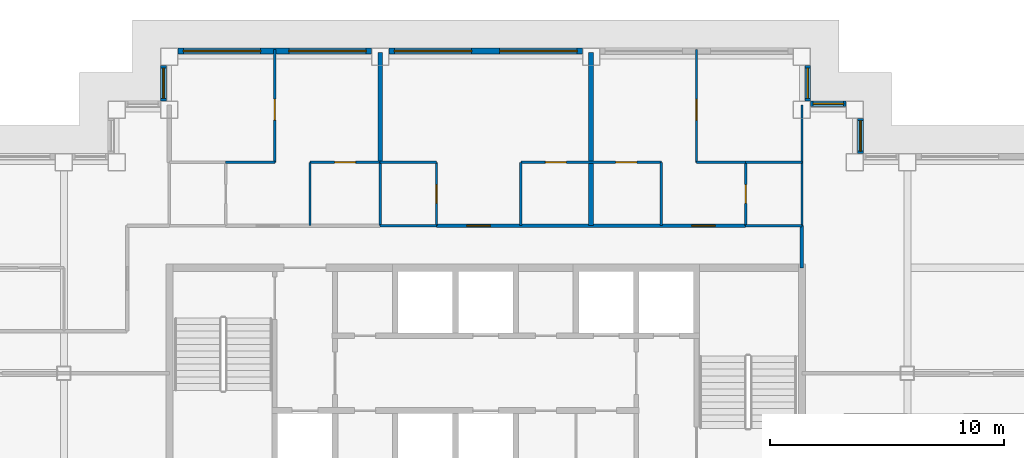
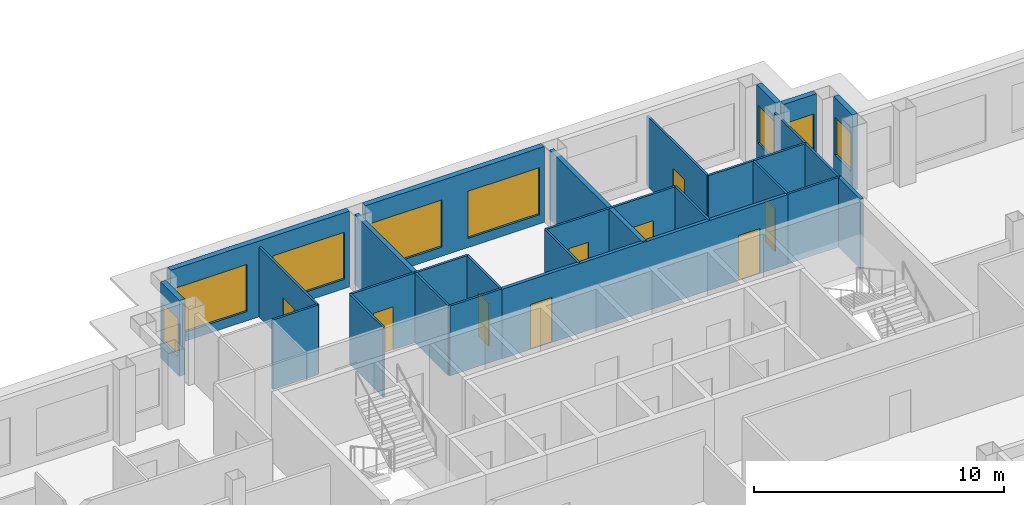
# One storey, part 8 of 13: 28 walls, 9 doors, 8 windows, 17 openings.
"""IFC4 building model written with IfcOpenShell, lengths in metres."""

from ifc_helpers import new_model, si_unit, direction, frame, frame_2d, origin, place, context, subcontext, project, spatial, rectangle, extrude, material, layer, layer_set, type_object, element, fill, save


model = new_model("IFC4")

# Units and contexts
model_context = context("Model", 3, precision=1e-05, world=origin(), true_north=direction((0.0, 1.0)))
body_context = subcontext(model_context, "Body", "Model", "MODEL_VIEW")
ifc_project = project(units=[si_unit("LENGTHUNIT", "METRE"), si_unit("AREAUNIT", "SQUARE_METRE"), si_unit("VOLUMEUNIT", "CUBIC_METRE"), si_unit("PLANEANGLEUNIT", "RADIAN"), si_unit("MASSUNIT", "GRAM", prefix="KILO")], contexts=[model_context])

# Site, building, storey
site_placement = place(None, origin())
site = spatial("IfcSite", under=ifc_project, at=site_placement, CompositionType="ELEMENT")
building_placement = place(site_placement, origin())
building = spatial("IfcBuilding", under=site, at=building_placement, Name="Caravel Reach Hotel and Residences", CompositionType="ELEMENT")
storey_placement = place(building_placement, frame((0.0, 0.0, 180.199951171875)))
storey = spatial("IfcBuildingStorey", under=building, at=storey_placement, Name="L45", CompositionType="ELEMENT", Elevation=180.199951171875)

# Walls
ifc_material_1 = material(Name="Gypsum board on steel stud", Category="steel")
ifc_layer_1 = layer(ifc_material_1, 0.10009765625)
ifc_layer_set_1 = layer_set([ifc_layer_1], Name="Bathroom pod wall 100 mm")
wall_type_1 = type_object("IfcWallType", Name="Bathroom pod wall 100 mm", PredefinedType="PARTITIONING", material=ifc_layer_set_1)
for number, where, z_axis, x_axis, name in (
    (1, (27.0, 33.300048828125, 0.0), (0.0, 0.0, 1.0), (1.0, 0.0, 0.0), "L45 wall w078"),
    (2, (42.60009765625, 33.300048828125, 0.0), (0.0, 0.0, 1.0), (1.0, 0.0, 0.0), "L45 wall w079"),
    (3, (27.0, 36.0, 0.0), (0.0, 0.0, 1.0), (1.0, 0.0, 0.0), "L45 wall w081"),
    (4, (42.60009765625, 36.0, 0.0), (0.0, 0.0, 1.0), (1.0, 0.0, 0.0), "L45 wall w082"),
):
    element("IfcWall", number, at=place(storey_placement, frame(where, z_axis=z_axis, x_axis=x_axis)), inside=storey, type_object=wall_type_1, Name=name, PredefinedType="PARTITIONING", context=body_context, shape_type="SweptSolid", body=[
        extrude(rectangle(XDim=2.39990234375, YDim=0.10009765625, at=frame_2d((1.199951171875, 0.0))), origin(), (0.0, 0.0, 1.0), 3.400146484375),
    ])
wall_1_placement = place(storey_placement, frame((27.0, 33.300048828125, 0.0), z_axis=(0.0, 0.0, 1.0), x_axis=(0.0, 1.0, 0.0)))
element("IfcWall", 5, at=wall_1_placement, inside=storey, type_object=wall_type_1, Name="L45 wall w088", PredefinedType="PARTITIONING", context=body_context, shape_type="SweptSolid", body=[
    extrude(rectangle(XDim=2.699951171875, YDim=0.10009765625, at=frame_2d((1.35009765625, 0.0))), origin(), (0.0, 0.0, 1.0), 3.400146484375),
])

# Wall, opening, door
wall_2_placement = place(storey_placement, frame((29.39990234375, 33.300048828125, 0.0), z_axis=(0.0, 0.0, 1.0), x_axis=(0.0, 1.0, 0.0)))
wall_2 = element("IfcWall", 6, at=wall_2_placement, inside=storey, type_object=wall_type_1, Name="L45 wall w089", PredefinedType="PARTITIONING", context=body_context, shape_type="SweptSolid", body=[
    extrude(rectangle(XDim=2.699951171875, YDim=0.10009765625, at=frame_2d((1.35009765625, 0.0))), origin(), (0.0, 0.0, 1.0), 3.400146484375),
])
opening_1_placement = place(wall_2_placement, frame((0.949951171875, 0.0, 0.0)))
opening_1 = element("IfcOpeningElement", 7, at=opening_1_placement, cuts=wall_2, Name="Opening D45-022", PredefinedType="OPENING", context=body_context, shape_type="SweptSolid", body=[
    extrude(rectangle(XDim=0.800048828125, YDim=2.10009765625, at=frame_2d((0.39990234375, 1.050048828125))), frame((0.0, 0.06005859375, 0.0), z_axis=(0.0, -1.0, 0.0), x_axis=(1.0, 0.0, 0.0)), (0.0, 0.0, 1.0), 0.1201171875),
])
ifc_material_2 = material(Name="Timber and steel door leaf", Category="steel")
door_type_1 = type_object("IfcDoorType", Name="Bathroom door 800 x 2100", OperationType="SINGLE_SWING_LEFT", PredefinedType="DOOR", material=ifc_material_2)
door_1_placement = place(opening_1_placement, origin())
door_1 = element("IfcDoor", 8, at=door_1_placement, inside=storey, type_object=door_type_1, Name="door D45-022", OperationType="SINGLE_SWING_RIGHT", OverallHeight=2.10009765625, OverallWidth=0.800048828125, PredefinedType="DOOR", context=body_context, shape_type="SweptSolid", body=[
    extrude(rectangle(XDim=0.800048828125, YDim=2.10009765625, at=frame_2d((0.39990234375, 1.050048828125))), frame((0.0, 0.02490234375, 0.0), z_axis=(0.0, -1.0, 0.0), x_axis=(1.0, 0.0, 0.0)), (0.0, 0.0, 1.0), 0.050048828125),
])
fill(opening_1, door_1)

wall_3_placement = place(storey_placement, frame((42.60009765625, 33.300048828125, 0.0), z_axis=(0.0, 0.0, 1.0), x_axis=(0.0, 1.0, 0.0)))
wall_3 = element("IfcWall", 9, at=wall_3_placement, inside=storey, type_object=wall_type_1, Name="L45 wall w093", PredefinedType="PARTITIONING", context=body_context, shape_type="SweptSolid", body=[
    extrude(rectangle(XDim=2.699951171875, YDim=0.10009765625, at=frame_2d((1.35009765625, 0.0))), origin(), (0.0, 0.0, 1.0), 3.400146484375),
])
opening_2_placement = place(wall_3_placement, frame((0.949951171875, 0.0, 0.0)))
opening_2 = element("IfcOpeningElement", 10, at=opening_2_placement, cuts=wall_3, Name="Opening D45-026", PredefinedType="OPENING", context=body_context, shape_type="SweptSolid", body=[
    extrude(rectangle(XDim=0.800048828125, YDim=2.10009765625, at=frame_2d((0.39990234375, 1.050048828125))), frame((0.0, 0.06005859375, 0.0), z_axis=(0.0, -1.0, 0.0), x_axis=(1.0, 0.0, 0.0)), (0.0, 0.0, 1.0), 0.1201171875),
])
door_2_placement = place(opening_2_placement, origin())
door_2 = element("IfcDoor", 11, at=door_2_placement, inside=storey, type_object=door_type_1, Name="door D45-026", OperationType="SINGLE_SWING_RIGHT", OverallHeight=2.10009765625, OverallWidth=0.800048828125, PredefinedType="DOOR", context=body_context, shape_type="SweptSolid", body=[
    extrude(rectangle(XDim=0.800048828125, YDim=2.10009765625, at=frame_2d((0.39990234375, 1.050048828125))), frame((0.0, 0.02490234375, 0.0), z_axis=(0.0, -1.0, 0.0), x_axis=(1.0, 0.0, 0.0)), (0.0, 0.0, 1.0), 0.050048828125),
])
fill(opening_2, door_2)

# Wall
wall_4_placement = place(storey_placement, frame((45.0, 33.300048828125, 0.0), z_axis=(0.0, 0.0, 1.0), x_axis=(0.0, 1.0, 0.0)))
element("IfcWall", 12, at=wall_4_placement, inside=storey, type_object=wall_type_1, Name="L45 wall w094", PredefinedType="PARTITIONING", context=body_context, shape_type="SweptSolid", body=[
    extrude(rectangle(XDim=2.699951171875, YDim=0.10009765625, at=frame_2d((1.35009765625, 0.0))), origin(), (0.0, 0.0, 1.0), 3.400146484375),
])

# Wall, openings, doors
ifc_material_3 = material(Name="Gypsum board on steel stud, fire-rated", Category="steel")
ifc_layer_2 = layer(ifc_material_3, 0.14990234375)
ifc_layer_set_2 = layer_set([ifc_layer_2], Name="Corridor wall 150 mm EI 60")
wall_type_2 = type_object("IfcWallType", Name="Corridor wall 150 mm EI 60", PredefinedType="PARTITIONING", material=ifc_layer_set_2)
wall_5_placement = place(storey_placement, frame((29.39990234375, 33.300048828125, 0.0), z_axis=(0.0, 0.0, 1.0), x_axis=(1.0, 0.0, 0.0)))
wall_5 = element("IfcWall", 13, at=wall_5_placement, inside=storey, type_object=wall_type_2, Name="L45 wall w015", PredefinedType="PARTITIONING", context=body_context, shape_type="SweptSolid", body=[
    extrude(rectangle(XDim=13.2001953125, YDim=0.14990234375, at=frame_2d((6.60009765625, 0.0))), origin(), (0.0, 0.0, 1.0), 3.400146484375),
])
opening_3_placement = place(wall_5_placement, frame((1.300048828125, 0.0, 0.0)))
opening_3 = element("IfcOpeningElement", 14, at=opening_3_placement, cuts=wall_5, Name="Opening D45-021", PredefinedType="OPENING", context=body_context, shape_type="SweptSolid", body=[
    extrude(rectangle(XDim=1.0, YDim=2.199951171875, at=frame_2d((0.5, 1.10009765625))), frame((0.0, 0.0849609375, 0.0), z_axis=(0.0, -1.0, 0.0), x_axis=(1.0, 0.0, 0.0)), (0.0, 0.0, 1.0), 0.169921875),
])
opening_4_placement = place(wall_5_placement, frame((10.900146484375, 0.0, 0.0)))
opening_4 = element("IfcOpeningElement", 15, at=opening_4_placement, cuts=wall_5, Name="Opening D45-024", PredefinedType="OPENING", context=body_context, shape_type="SweptSolid", body=[
    extrude(rectangle(XDim=1.0, YDim=2.199951171875, at=frame_2d((0.5, 1.10009765625))), frame((0.0, 0.0849609375, 0.0), z_axis=(0.0, -1.0, 0.0), x_axis=(1.0, 0.0, 0.0)), (0.0, 0.0, 1.0), 0.169921875),
])
ifc_material_4 = material(Name="Steel fire door leaf", Category="steel")
door_type_2 = type_object("IfcDoorType", Name="Flat entrance door 1000 x 2200 EI 60", OperationType="SINGLE_SWING_LEFT", PredefinedType="DOOR", material=ifc_material_4)
door_3_placement = place(opening_3_placement, origin())
door_3 = element("IfcDoor", 16, at=door_3_placement, inside=storey, type_object=door_type_2, Name="door D45-021", OperationType="SINGLE_SWING_LEFT", OverallHeight=2.199951171875, OverallWidth=1.0, PredefinedType="DOOR", context=body_context, shape_type="SweptSolid", body=[
    extrude(rectangle(XDim=1.0, YDim=2.199951171875, at=frame_2d((0.5, 1.10009765625))), frame((0.0, 0.02490234375, 0.0), z_axis=(0.0, -1.0, 0.0), x_axis=(1.0, 0.0, 0.0)), (0.0, 0.0, 1.0), 0.050048828125),
])
fill(opening_3, door_3)
door_4_placement = place(opening_4_placement, origin())
door_4 = element("IfcDoor", 17, at=door_4_placement, inside=storey, type_object=door_type_2, Name="door D45-024", OperationType="SINGLE_SWING_LEFT", OverallHeight=2.199951171875, OverallWidth=1.0, PredefinedType="DOOR", context=body_context, shape_type="SweptSolid", body=[
    extrude(rectangle(XDim=1.0, YDim=2.199951171875, at=frame_2d((0.5, 1.10009765625))), frame((0.0, 0.02490234375, 0.0), z_axis=(0.0, -1.0, 0.0), x_axis=(1.0, 0.0, 0.0)), (0.0, 0.0, 1.0), 0.050048828125),
])
fill(opening_4, door_4)

# Wall
wall_6_placement = place(storey_placement, frame((45.0, 31.5, 0.0), z_axis=(0.0, 0.0, 1.0), x_axis=(0.0, 1.0, 0.0)))
element("IfcWall", 18, at=wall_6_placement, inside=storey, type_object=wall_type_2, Name="L45 wall w029", PredefinedType="PARTITIONING", context=body_context, shape_type="SweptSolid", body=[
    extrude(rectangle(XDim=1.800048828125, YDim=0.14990234375, at=frame_2d((0.89990234375, 0.0))), origin(), (0.0, 0.0, 1.0), 3.400146484375),
])

# Wall, opening, window
ifc_material_5 = material(Name="Insulated rainscreen wall, aluminium cladding", Category="aluminium")
ifc_layer_3 = layer(ifc_material_5, 0.25)
ifc_layer_set_3 = layer_set([ifc_layer_3], Name="EW1 Tower rainscreen wall")
wall_type_3 = type_object("IfcWallType", Name="EW1 Tower rainscreen wall", PredefinedType="SOLIDWALL", material=ifc_layer_set_3)
wall_7_placement = place(storey_placement, frame((47.5, 36.375, 0.0), z_axis=(0.0, 0.0, 1.0), x_axis=(0.0, 1.0, 0.0)))
wall_7 = element("IfcWall", 19, at=wall_7_placement, inside=storey, type_object=wall_type_3, Name="External wall L45 E26.1", PredefinedType="SOLIDWALL", context=body_context, shape_type="SweptSolid", body=[
    extrude(rectangle(XDim=1.5, YDim=0.25, at=frame_2d((0.75, 0.0))), origin(), (0.0, 0.0, 1.0), 3.699951171875),
])
opening_5_placement = place(wall_7_placement, frame((0.10009765625, 0.0, 0.89990234375)))
opening_5 = element("IfcOpeningElement", 20, at=opening_5_placement, cuts=wall_7, Name="Opening WN16", PredefinedType="OPENING", context=body_context, shape_type="SweptSolid", body=[
    extrude(rectangle(XDim=1.300048828125, YDim=1.85009765625, at=frame_2d((0.64990234375, 0.925048828125))), frame((0.0, 0.135009765625, 0.0), z_axis=(0.0, -1.0, 0.0), x_axis=(1.0, 0.0, 0.0)), (0.0, 0.0, 1.0), 0.27001953125),
])
ifc_material_6 = material(Name="Dark low-e glazing in black aluminium frame", Category="aluminium")
window_type_1 = type_object("IfcWindowType", Name="Residence bedroom window 1300 x 1850", PartitioningType="SINGLE_PANEL", PredefinedType="WINDOW", material=ifc_material_6)
window_1_placement = place(opening_5_placement, origin())
window_1 = element("IfcWindow", 21, at=window_1_placement, inside=storey, type_object=window_type_1, Name="Window L45 E26.1.1", OverallHeight=1.85009765625, OverallWidth=1.300048828125, PartitioningType="SINGLE_PANEL", PredefinedType="WINDOW", context=body_context, shape_type="SweptSolid", body=[
    extrude(rectangle(XDim=1.300048828125, YDim=1.85009765625, at=frame_2d((0.64990234375, 0.925048828125))), frame((0.0, 0.030029296875, 0.0), z_axis=(0.0, -1.0, 0.0), x_axis=(1.0, 0.0, 0.0)), (0.0, 0.0, 1.0), 0.06005859375),
])
fill(opening_5, window_1)

wall_8_placement = place(storey_placement, frame((46.875, 38.5, 0.0), z_axis=(0.0, 0.0, 1.0), x_axis=(-1.0, 0.0, 0.0)))
wall_8 = element("IfcWall", 22, at=wall_8_placement, inside=storey, type_object=wall_type_3, Name="External wall L45 N27.1", PredefinedType="SOLIDWALL", context=body_context, shape_type="SweptSolid", body=[
    extrude(rectangle(XDim=1.5, YDim=0.25, at=frame_2d((0.75, 0.0))), origin(), (0.0, 0.0, 1.0), 3.699951171875),
])
opening_6_placement = place(wall_8_placement, frame((0.10009765625, 0.0, 0.89990234375)))
opening_6 = element("IfcOpeningElement", 23, at=opening_6_placement, cuts=wall_8, Name="Opening WN16", PredefinedType="OPENING", context=body_context, shape_type="SweptSolid", body=[
    extrude(rectangle(XDim=1.300048828125, YDim=1.85009765625, at=frame_2d((0.64990234375, 0.925048828125))), frame((0.0, 0.135009765625, 0.0), z_axis=(0.0, -1.0, 0.0), x_axis=(1.0, 0.0, 0.0)), (0.0, 0.0, 1.0), 0.27001953125),
])
window_2_placement = place(opening_6_placement, origin())
window_2 = element("IfcWindow", 24, at=window_2_placement, inside=storey, type_object=window_type_1, Name="Window L45 N27.1.1", OverallHeight=1.85009765625, OverallWidth=1.300048828125, PartitioningType="SINGLE_PANEL", PredefinedType="WINDOW", context=body_context, shape_type="SweptSolid", body=[
    extrude(rectangle(XDim=1.300048828125, YDim=1.85009765625, at=frame_2d((0.64990234375, 0.925048828125))), frame((0.0, 0.030029296875, 0.0), z_axis=(0.0, -1.0, 0.0), x_axis=(1.0, 0.0, 0.0)), (0.0, 0.0, 1.0), 0.06005859375),
])
fill(opening_6, window_2)

wall_9_placement = place(storey_placement, frame((45.25, 38.625, 0.0), z_axis=(0.0, 0.0, 1.0), x_axis=(0.0, 1.0, 0.0)))
wall_9 = element("IfcWall", 25, at=wall_9_placement, inside=storey, type_object=wall_type_3, Name="External wall L45 E28.1", PredefinedType="SOLIDWALL", context=body_context, shape_type="SweptSolid", body=[
    extrude(rectangle(XDim=1.5, YDim=0.25, at=frame_2d((0.75, 0.0))), origin(), (0.0, 0.0, 1.0), 3.699951171875),
])
opening_7_placement = place(wall_9_placement, frame((0.10009765625, 0.0, 0.89990234375)))
opening_7 = element("IfcOpeningElement", 26, at=opening_7_placement, cuts=wall_9, Name="Opening WN16", PredefinedType="OPENING", context=body_context, shape_type="SweptSolid", body=[
    extrude(rectangle(XDim=1.300048828125, YDim=1.85009765625, at=frame_2d((0.64990234375, 0.925048828125))), frame((0.0, 0.135009765625, 0.0), z_axis=(0.0, -1.0, 0.0), x_axis=(1.0, 0.0, 0.0)), (0.0, 0.0, 1.0), 0.27001953125),
])
window_3_placement = place(opening_7_placement, origin())
window_3 = element("IfcWindow", 27, at=window_3_placement, inside=storey, type_object=window_type_1, Name="Window L45 E28.1.1", OverallHeight=1.85009765625, OverallWidth=1.300048828125, PartitioningType="SINGLE_PANEL", PredefinedType="WINDOW", context=body_context, shape_type="SweptSolid", body=[
    extrude(rectangle(XDim=1.300048828125, YDim=1.85009765625, at=frame_2d((0.64990234375, 0.925048828125))), frame((0.0, 0.030029296875, 0.0), z_axis=(0.0, -1.0, 0.0), x_axis=(1.0, 0.0, 0.0)), (0.0, 0.0, 1.0), 0.06005859375),
])
fill(opening_7, window_3)

# Wall, openings, windows
wall_10_placement = place(storey_placement, frame((35.625, 40.75, 0.0), z_axis=(0.0, 0.0, 1.0), x_axis=(-1.0, 0.0, 0.0)))
wall_10 = element("IfcWall", 28, at=wall_10_placement, inside=storey, type_object=wall_type_3, Name="External wall L45 N29.2", PredefinedType="SOLIDWALL", context=body_context, shape_type="SweptSolid", body=[
    extrude(rectangle(XDim=8.25, YDim=0.25, at=frame_2d((4.125, 0.0))), origin(), (0.0, 0.0, 1.0), 3.699951171875),
])
opening_8_placement = place(wall_10_placement, frame((0.22509765625, 0.0, 0.449951171875)))
opening_8 = element("IfcOpeningElement", 29, at=opening_8_placement, cuts=wall_10, Name="Opening WN15", PredefinedType="OPENING", context=body_context, shape_type="SweptSolid", body=[
    extrude(rectangle(XDim=3.300048828125, YDim=2.300048828125, at=frame_2d((1.64990234375, 1.14990234375))), frame((0.0, 0.135009765625, 0.0), z_axis=(0.0, -1.0, 0.0), x_axis=(1.0, 0.0, 0.0)), (0.0, 0.0, 1.0), 0.27001953125),
])
opening_9_placement = place(wall_10_placement, frame((4.72509765625, 0.0, 0.449951171875)))
opening_9 = element("IfcOpeningElement", 30, at=opening_9_placement, cuts=wall_10, Name="Opening WN15", PredefinedType="OPENING", context=body_context, shape_type="SweptSolid", body=[
    extrude(rectangle(XDim=3.300048828125, YDim=2.300048828125, at=frame_2d((1.64990234375, 1.14990234375))), frame((0.0, 0.135009765625, 0.0), z_axis=(0.0, -1.0, 0.0), x_axis=(1.0, 0.0, 0.0)), (0.0, 0.0, 1.0), 0.27001953125),
])
ifc_material_7 = material(Name="Dark low-e glazing in black aluminium frame", Category="aluminium")
window_type_2 = type_object("IfcWindowType", Name="Residence living window 3300 x 2300", PartitioningType="SINGLE_PANEL", PredefinedType="WINDOW", material=ifc_material_7)
window_4_placement = place(opening_8_placement, origin())
window_4 = element("IfcWindow", 31, at=window_4_placement, inside=storey, type_object=window_type_2, Name="Window L45 N29.2.1", OverallHeight=2.300048828125, OverallWidth=3.300048828125, PartitioningType="SINGLE_PANEL", PredefinedType="WINDOW", context=body_context, shape_type="SweptSolid", body=[
    extrude(rectangle(XDim=3.300048828125, YDim=2.300048828125, at=frame_2d((1.64990234375, 1.14990234375))), frame((0.0, 0.030029296875, 0.0), z_axis=(0.0, -1.0, 0.0), x_axis=(1.0, 0.0, 0.0)), (0.0, 0.0, 1.0), 0.06005859375),
])
fill(opening_8, window_4)
window_5_placement = place(opening_9_placement, origin())
window_5 = element("IfcWindow", 32, at=window_5_placement, inside=storey, type_object=window_type_2, Name="Window L45 N29.2.2", OverallHeight=2.300048828125, OverallWidth=3.300048828125, PartitioningType="SINGLE_PANEL", PredefinedType="WINDOW", context=body_context, shape_type="SweptSolid", body=[
    extrude(rectangle(XDim=3.300048828125, YDim=2.300048828125, at=frame_2d((1.64990234375, 1.14990234375))), frame((0.0, 0.030029296875, 0.0), z_axis=(0.0, -1.0, 0.0), x_axis=(1.0, 0.0, 0.0)), (0.0, 0.0, 1.0), 0.06005859375),
])
fill(opening_9, window_5)

wall_11_placement = place(storey_placement, frame((26.625, 40.75, 0.0), z_axis=(0.0, 0.0, 1.0), x_axis=(-1.0, 0.0, 0.0)))
wall_11 = element("IfcWall", 33, at=wall_11_placement, inside=storey, type_object=wall_type_3, Name="External wall L45 N29.3", PredefinedType="SOLIDWALL", context=body_context, shape_type="SweptSolid", body=[
    extrude(rectangle(XDim=8.25, YDim=0.25, at=frame_2d((4.125, 0.0))), origin(), (0.0, 0.0, 1.0), 3.699951171875),
])
opening_10_placement = place(wall_11_placement, frame((0.22509765625, 0.0, 0.449951171875)))
opening_10 = element("IfcOpeningElement", 34, at=opening_10_placement, cuts=wall_11, Name="Opening WN15", PredefinedType="OPENING", context=body_context, shape_type="SweptSolid", body=[
    extrude(rectangle(XDim=3.300048828125, YDim=2.300048828125, at=frame_2d((1.64990234375, 1.14990234375))), frame((0.0, 0.135009765625, 0.0), z_axis=(0.0, -1.0, 0.0), x_axis=(1.0, 0.0, 0.0)), (0.0, 0.0, 1.0), 0.27001953125),
])
opening_11_placement = place(wall_11_placement, frame((4.72509765625, 0.0, 0.449951171875)))
opening_11 = element("IfcOpeningElement", 35, at=opening_11_placement, cuts=wall_11, Name="Opening WN15", PredefinedType="OPENING", context=body_context, shape_type="SweptSolid", body=[
    extrude(rectangle(XDim=3.300048828125, YDim=2.300048828125, at=frame_2d((1.64990234375, 1.14990234375))), frame((0.0, 0.135009765625, 0.0), z_axis=(0.0, -1.0, 0.0), x_axis=(1.0, 0.0, 0.0)), (0.0, 0.0, 1.0), 0.27001953125),
])
window_6_placement = place(opening_10_placement, origin())
window_6 = element("IfcWindow", 36, at=window_6_placement, inside=storey, type_object=window_type_2, Name="Window L45 N29.3.1", OverallHeight=2.300048828125, OverallWidth=3.300048828125, PartitioningType="SINGLE_PANEL", PredefinedType="WINDOW", context=body_context, shape_type="SweptSolid", body=[
    extrude(rectangle(XDim=3.300048828125, YDim=2.300048828125, at=frame_2d((1.64990234375, 1.14990234375))), frame((0.0, 0.030029296875, 0.0), z_axis=(0.0, -1.0, 0.0), x_axis=(1.0, 0.0, 0.0)), (0.0, 0.0, 1.0), 0.06005859375),
])
fill(opening_10, window_6)
window_7_placement = place(opening_11_placement, origin())
window_7 = element("IfcWindow", 37, at=window_7_placement, inside=storey, type_object=window_type_2, Name="Window L45 N29.3.2", OverallHeight=2.300048828125, OverallWidth=3.300048828125, PartitioningType="SINGLE_PANEL", PredefinedType="WINDOW", context=body_context, shape_type="SweptSolid", body=[
    extrude(rectangle(XDim=3.300048828125, YDim=2.300048828125, at=frame_2d((1.64990234375, 1.14990234375))), frame((0.0, 0.030029296875, 0.0), z_axis=(0.0, -1.0, 0.0), x_axis=(1.0, 0.0, 0.0)), (0.0, 0.0, 1.0), 0.06005859375),
])
fill(opening_11, window_7)

# Wall, opening, window
wall_12_placement = place(storey_placement, frame((17.75, 40.125, 0.0), z_axis=(0.0, 0.0, 1.0), x_axis=(0.0, -1.0, 0.0)))
wall_12 = element("IfcWall", 38, at=wall_12_placement, inside=storey, type_object=wall_type_3, Name="External wall L45 W30.1", PredefinedType="SOLIDWALL", context=body_context, shape_type="SweptSolid", body=[
    extrude(rectangle(XDim=1.5, YDim=0.25, at=frame_2d((0.75, 0.0))), origin(), (0.0, 0.0, 1.0), 3.699951171875),
])
opening_12_placement = place(wall_12_placement, frame((0.10009765625, 0.0, 0.89990234375)))
opening_12 = element("IfcOpeningElement", 39, at=opening_12_placement, cuts=wall_12, Name="Opening WN16", PredefinedType="OPENING", context=body_context, shape_type="SweptSolid", body=[
    extrude(rectangle(XDim=1.300048828125, YDim=1.85009765625, at=frame_2d((0.64990234375, 0.925048828125))), frame((0.0, 0.135009765625, 0.0), z_axis=(0.0, -1.0, 0.0), x_axis=(1.0, 0.0, 0.0)), (0.0, 0.0, 1.0), 0.27001953125),
])
window_8_placement = place(opening_12_placement, origin())
window_8 = element("IfcWindow", 40, at=window_8_placement, inside=storey, type_object=window_type_1, Name="Window L45 W30.1.1", OverallHeight=1.85009765625, OverallWidth=1.300048828125, PartitioningType="SINGLE_PANEL", PredefinedType="WINDOW", context=body_context, shape_type="SweptSolid", body=[
    extrude(rectangle(XDim=1.300048828125, YDim=1.85009765625, at=frame_2d((0.64990234375, 0.925048828125))), frame((0.0, 0.030029296875, 0.0), z_axis=(0.0, -1.0, 0.0), x_axis=(1.0, 0.0, 0.0)), (0.0, 0.0, 1.0), 0.06005859375),
])
fill(opening_12, window_8)

# Wall
ifc_material_8 = material(Name="Gypsum board on steel stud", Category="steel")
ifc_layer_4 = layer(ifc_material_8, 0.10009765625)
ifc_layer_set_4 = layer_set([ifc_layer_4], Name="Partition 100 mm")
wall_type_4 = type_object("IfcWallType", Name="Partition 100 mm", PredefinedType="PARTITIONING", material=ifc_layer_set_4)
wall_13_placement = place(storey_placement, frame((20.39990234375, 36.0, 0.0), z_axis=(0.0, 0.0, 1.0), x_axis=(1.0, 0.0, 0.0)))
element("IfcWall", 41, at=wall_13_placement, inside=storey, type_object=wall_type_4, Name="L45 wall w043", PredefinedType="PARTITIONING", context=body_context, shape_type="SweptSolid", body=[
    extrude(rectangle(XDim=2.10009765625, YDim=0.10009765625, at=frame_2d((1.050048828125, 0.0))), origin(), (0.0, 0.0, 1.0), 3.400146484375),
])

# Wall, opening, door
wall_14_placement = place(storey_placement, frame((24.0, 36.0, 0.0), z_axis=(0.0, 0.0, 1.0), x_axis=(1.0, 0.0, 0.0)))
wall_14 = element("IfcWall", 42, at=wall_14_placement, inside=storey, type_object=wall_type_4, Name="L45 wall w044", PredefinedType="PARTITIONING", context=body_context, shape_type="SweptSolid", body=[
    extrude(rectangle(XDim=3.0, YDim=0.10009765625, at=frame_2d((1.5, 0.0))), origin(), (0.0, 0.0, 1.0), 3.400146484375),
])
opening_13_placement = place(wall_14_placement, frame((1.050048828125, 0.0, 0.0)))
opening_13 = element("IfcOpeningElement", 43, at=opening_13_placement, cuts=wall_14, Name="Opening D45-019", PredefinedType="OPENING", context=body_context, shape_type="SweptSolid", body=[
    extrude(rectangle(XDim=0.89990234375, YDim=2.10009765625, at=frame_2d((0.449951171875, 1.050048828125))), frame((0.0, 0.06005859375, 0.0), z_axis=(0.0, -1.0, 0.0), x_axis=(1.0, 0.0, 0.0)), (0.0, 0.0, 1.0), 0.1201171875),
])
ifc_material_9 = material(Name="Timber and steel door leaf", Category="steel")
door_type_3 = type_object("IfcDoorType", Name="Door 900 x 2100 timber", OperationType="SINGLE_SWING_LEFT", PredefinedType="DOOR", material=ifc_material_9)
door_5_placement = place(opening_13_placement, origin())
door_5 = element("IfcDoor", 44, at=door_5_placement, inside=storey, type_object=door_type_3, Name="door D45-019", OperationType="SINGLE_SWING_LEFT", OverallHeight=2.10009765625, OverallWidth=0.89990234375, PredefinedType="DOOR", context=body_context, shape_type="SweptSolid", body=[
    extrude(rectangle(XDim=0.89990234375, YDim=2.10009765625, at=frame_2d((0.449951171875, 1.050048828125))), frame((0.0, 0.02490234375, 0.0), z_axis=(0.0, -1.0, 0.0), x_axis=(1.0, 0.0, 0.0)), (0.0, 0.0, 1.0), 0.050048828125),
])
fill(opening_13, door_5)

# Wall, openings, doors
wall_15_placement = place(storey_placement, frame((33.0, 36.0, 0.0), z_axis=(0.0, 0.0, 1.0), x_axis=(1.0, 0.0, 0.0)))
wall_15 = element("IfcWall", 45, at=wall_15_placement, inside=storey, type_object=wall_type_4, Name="L45 wall w045", PredefinedType="PARTITIONING", context=body_context, shape_type="SweptSolid", body=[
    extrude(rectangle(XDim=6.0, YDim=0.10009765625, at=frame_2d((3.0, 0.0))), origin(), (0.0, 0.0, 1.0), 3.400146484375),
])
opening_14_placement = place(wall_15_placement, frame((1.050048828125, 0.0, 0.0)))
opening_14 = element("IfcOpeningElement", 46, at=opening_14_placement, cuts=wall_15, Name="Opening D45-023", PredefinedType="OPENING", context=body_context, shape_type="SweptSolid", body=[
    extrude(rectangle(XDim=0.89990234375, YDim=2.10009765625, at=frame_2d((0.449951171875, 1.050048828125))), frame((0.0, 0.06005859375, 0.0), z_axis=(0.0, -1.0, 0.0), x_axis=(1.0, 0.0, 0.0)), (0.0, 0.0, 1.0), 0.1201171875),
])
opening_15_placement = place(wall_15_placement, frame((4.050048828125, 0.0, 0.0)))
opening_15 = element("IfcOpeningElement", 47, at=opening_15_placement, cuts=wall_15, Name="Opening D45-025", PredefinedType="OPENING", context=body_context, shape_type="SweptSolid", body=[
    extrude(rectangle(XDim=0.89990234375, YDim=2.10009765625, at=frame_2d((0.449951171875, 1.050048828125))), frame((0.0, 0.06005859375, 0.0), z_axis=(0.0, -1.0, 0.0), x_axis=(1.0, 0.0, 0.0)), (0.0, 0.0, 1.0), 0.1201171875),
])
door_6_placement = place(opening_14_placement, origin())
door_6 = element("IfcDoor", 48, at=door_6_placement, inside=storey, type_object=door_type_3, Name="door D45-023", OperationType="SINGLE_SWING_LEFT", OverallHeight=2.10009765625, OverallWidth=0.89990234375, PredefinedType="DOOR", context=body_context, shape_type="SweptSolid", body=[
    extrude(rectangle(XDim=0.89990234375, YDim=2.10009765625, at=frame_2d((0.449951171875, 1.050048828125))), frame((0.0, 0.02490234375, 0.0), z_axis=(0.0, -1.0, 0.0), x_axis=(1.0, 0.0, 0.0)), (0.0, 0.0, 1.0), 0.050048828125),
])
fill(opening_14, door_6)
door_7_placement = place(opening_15_placement, origin())
door_7 = element("IfcDoor", 49, at=door_7_placement, inside=storey, type_object=door_type_3, Name="door D45-025", OperationType="SINGLE_SWING_LEFT", OverallHeight=2.10009765625, OverallWidth=0.89990234375, PredefinedType="DOOR", context=body_context, shape_type="SweptSolid", body=[
    extrude(rectangle(XDim=0.89990234375, YDim=2.10009765625, at=frame_2d((0.449951171875, 1.050048828125))), frame((0.0, 0.02490234375, 0.0), z_axis=(0.0, -1.0, 0.0), x_axis=(1.0, 0.0, 0.0)), (0.0, 0.0, 1.0), 0.050048828125),
])
fill(opening_15, door_7)

# Wall
wall_16_placement = place(storey_placement, frame((40.5, 36.0, 0.0), z_axis=(0.0, 0.0, 1.0), x_axis=(1.0, 0.0, 0.0)))
element("IfcWall", 50, at=wall_16_placement, inside=storey, type_object=wall_type_4, Name="L45 wall w046", PredefinedType="PARTITIONING", context=body_context, shape_type="SweptSolid", body=[
    extrude(rectangle(XDim=2.10009765625, YDim=0.10009765625, at=frame_2d((1.050048828125, 0.0))), origin(), (0.0, 0.0, 1.0), 3.400146484375),
])

# Wall, opening, door
wall_17_placement = place(storey_placement, frame((22.5, 36.0, 0.0), z_axis=(0.0, 0.0, 1.0), x_axis=(0.0, 1.0, 0.0)))
wall_17 = element("IfcWall", 51, at=wall_17_placement, inside=storey, type_object=wall_type_4, Name="L45 wall w055", PredefinedType="PARTITIONING", context=body_context, shape_type="SweptSolid", body=[
    extrude(rectangle(XDim=4.81494140625, YDim=0.10009765625, at=frame_2d((2.407470703125, 0.0))), origin(), (0.0, 0.0, 1.0), 3.400146484375),
])
opening_16_placement = place(wall_17_placement, frame((1.800048828125, 0.0, 0.0)))
opening_16 = element("IfcOpeningElement", 52, at=opening_16_placement, cuts=wall_17, Name="Opening D45-020", PredefinedType="OPENING", context=body_context, shape_type="SweptSolid", body=[
    extrude(rectangle(XDim=0.89990234375, YDim=2.10009765625, at=frame_2d((0.449951171875, 1.050048828125))), frame((0.0, 0.06005859375, 0.0), z_axis=(0.0, -1.0, 0.0), x_axis=(1.0, 0.0, 0.0)), (0.0, 0.0, 1.0), 0.1201171875),
])
door_8_placement = place(opening_16_placement, origin())
door_8 = element("IfcDoor", 53, at=door_8_placement, inside=storey, type_object=door_type_3, Name="door D45-020", OperationType="SINGLE_SWING_LEFT", OverallHeight=2.10009765625, OverallWidth=0.89990234375, PredefinedType="DOOR", context=body_context, shape_type="SweptSolid", body=[
    extrude(rectangle(XDim=0.89990234375, YDim=2.10009765625, at=frame_2d((0.449951171875, 1.050048828125))), frame((0.0, 0.02490234375, 0.0), z_axis=(0.0, -1.0, 0.0), x_axis=(1.0, 0.0, 0.0)), (0.0, 0.0, 1.0), 0.050048828125),
])
fill(opening_16, door_8)

# Walls
for number, where, z_axis, x_axis, name in (
    (54, (24.0, 33.300048828125, 0.0), (0.0, 0.0, 1.0), (0.0, 1.0, 0.0), "L45 wall w056"),
    (55, (33.0, 33.300048828125, 0.0), (0.0, 0.0, 1.0), (0.0, 1.0, 0.0), "L45 wall w057"),
    (56, (39.0, 33.300048828125, 0.0), (0.0, 0.0, 1.0), (0.0, 1.0, 0.0), "L45 wall w059"),
):
    element("IfcWall", number, at=place(storey_placement, frame(where, z_axis=z_axis, x_axis=x_axis)), inside=storey, type_object=wall_type_4, Name=name, PredefinedType="PARTITIONING", context=body_context, shape_type="SweptSolid", body=[
        extrude(rectangle(XDim=2.699951171875, YDim=0.10009765625, at=frame_2d((1.35009765625, 0.0))), origin(), (0.0, 0.0, 1.0), 3.400146484375),
    ])

# Wall, opening, door
wall_18_placement = place(storey_placement, frame((40.5, 36.0, 0.0), z_axis=(0.0, 0.0, 1.0), x_axis=(0.0, 1.0, 0.0)))
wall_18 = element("IfcWall", 57, at=wall_18_placement, inside=storey, type_object=wall_type_4, Name="L45 wall w061", PredefinedType="PARTITIONING", context=body_context, shape_type="SweptSolid", body=[
    extrude(rectangle(XDim=4.81494140625, YDim=0.10009765625, at=frame_2d((2.407470703125, 0.0))), origin(), (0.0, 0.0, 1.0), 3.400146484375),
])
opening_17_placement = place(wall_18_placement, frame((1.800048828125, 0.0, 0.0)))
opening_17 = element("IfcOpeningElement", 58, at=opening_17_placement, cuts=wall_18, Name="Opening D45-027", PredefinedType="OPENING", context=body_context, shape_type="SweptSolid", body=[
    extrude(rectangle(XDim=0.89990234375, YDim=2.10009765625, at=frame_2d((0.449951171875, 1.050048828125))), frame((0.0, 0.06005859375, 0.0), z_axis=(0.0, -1.0, 0.0), x_axis=(1.0, 0.0, 0.0)), (0.0, 0.0, 1.0), 0.1201171875),
])
door_9_placement = place(opening_17_placement, origin())
door_9 = element("IfcDoor", 59, at=door_9_placement, inside=storey, type_object=door_type_3, Name="door D45-027", OperationType="SINGLE_SWING_LEFT", OverallHeight=2.10009765625, OverallWidth=0.89990234375, PredefinedType="DOOR", context=body_context, shape_type="SweptSolid", body=[
    extrude(rectangle(XDim=0.89990234375, YDim=2.10009765625, at=frame_2d((0.449951171875, 1.050048828125))), frame((0.0, 0.02490234375, 0.0), z_axis=(0.0, -1.0, 0.0), x_axis=(1.0, 0.0, 0.0)), (0.0, 0.0, 1.0), 0.050048828125),
])
fill(opening_17, door_9)

# Walls
wall_19_placement = place(storey_placement, frame((45.0, 36.0009765625, 0.0), z_axis=(0.0, 0.0, 1.0), x_axis=(0.0, 1.0, 0.0)))
element("IfcWall", 60, at=wall_19_placement, inside=storey, type_object=wall_type_4, Name="L45 wall w062", PredefinedType="PARTITIONING", context=body_context, shape_type="SweptSolid", body=[
    extrude(rectangle(XDim=2.43896484375, YDim=0.10009765625, at=frame_2d((1.219482421875, 0.0))), origin(), (0.0, 0.0, 1.0), 3.400146484375),
])
ifc_material_10 = material(Name="Autoclaved aerated block wall")
ifc_layer_5 = layer(ifc_material_10, 0.199951171875)
ifc_layer_set_5 = layer_set([ifc_layer_5], Name="Party wall 200 mm EI 60")
wall_type_5 = type_object("IfcWallType", Name="Party wall 200 mm EI 60", PredefinedType="PARTITIONING", material=ifc_layer_set_5)
wall_20_placement = place(storey_placement, frame((27.0, 36.0, 0.0), z_axis=(0.0, 0.0, 1.0), x_axis=(0.0, 1.0, 0.0)))
element("IfcWall", 61, at=wall_20_placement, inside=storey, type_object=wall_type_5, Name="L45 wall w068", PredefinedType="PARTITIONING", context=body_context, shape_type="SweptSolid", body=[
    extrude(rectangle(XDim=4.68994140625, YDim=0.199951171875, at=frame_2d((2.344970703125, 0.0))), origin(), (0.0, 0.0, 1.0), 3.400146484375),
])
wall_21_placement = place(storey_placement, frame((36.0, 33.300048828125, 0.0), z_axis=(0.0, 0.0, 1.0), x_axis=(0.0, 1.0, 0.0)))
element("IfcWall", 62, at=wall_21_placement, inside=storey, type_object=wall_type_5, Name="L45 wall w070", PredefinedType="PARTITIONING", context=body_context, shape_type="SweptSolid", body=[
    extrude(rectangle(XDim=7.389892578125, YDim=0.199951171875, at=frame_2d((3.69482421875, 0.0))), origin(), (0.0, 0.0, 1.0), 3.400146484375),
])

save(model, "model.ifc")
